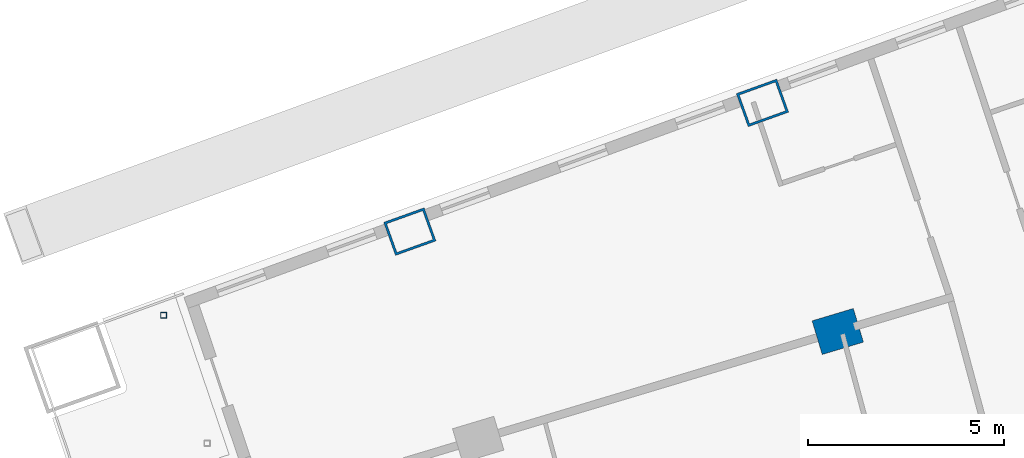
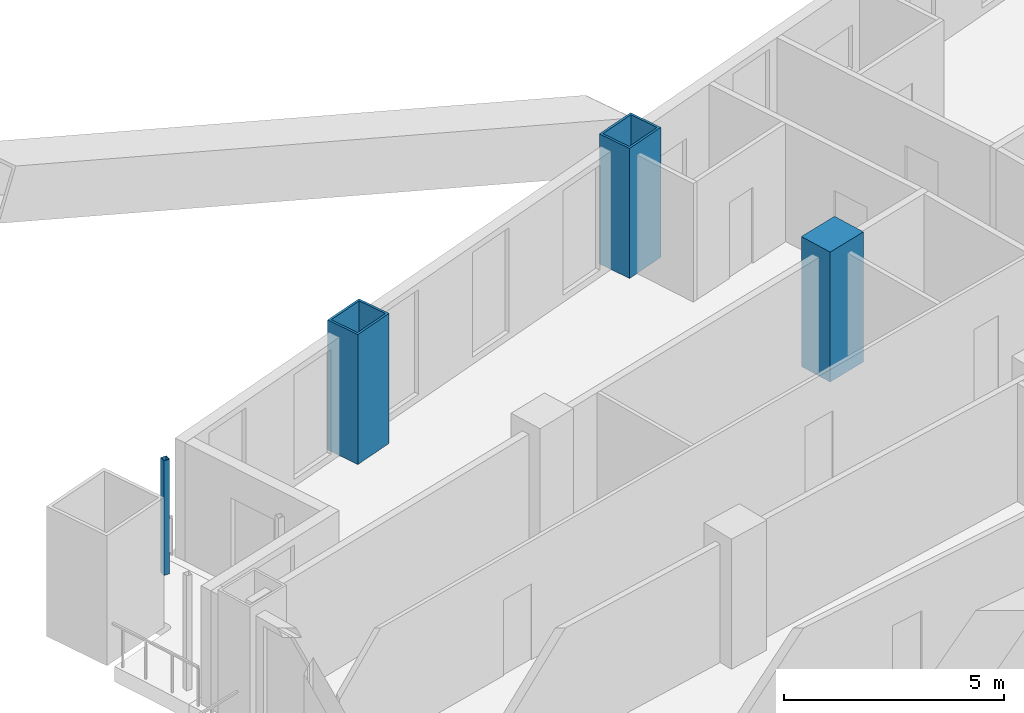
# One storey, part 9 of 25: 4 columns.
"""IFC4 building model written with IfcOpenShell, lengths in metres."""

import ifcopenshell
import ifcopenshell.guid

model = None  # the IFC model being written
_history = None  # IfcOwnerHistory: only IFC2X3 demands one
_inside = {}  # id of a spatial element -> (the spatial element, [elements in it])
_under = {}  # id of a project, library or spatial element -> (it, [spatial elements below it])
_declared = {}  # id of a project -> (the project, [libraries it declares])
_typed = {}  # id of a type object -> (the type object, [elements of that type])
_made_of = {}  # id of a material, layer set ... -> (it, [elements and type objects made of it])


def new_model(schema):
    """Start an empty IFC model of exactly this schema.

    Asked for "IFC4X3", IfcOpenShell would pick the latest addendum, in which some entities
    have other attributes; the version numbers below select the first issue.
    IFC2X3 requires an IfcOwnerHistory on every rooted entity: one is made here for all.
    """
    global model, _history
    if schema == "IFC4X3":
        model = ifcopenshell.file(schema_version=(4, 3, 0, 0))
    else:
        model = ifcopenshell.file(schema=schema)
    _inside.clear()
    _under.clear()
    _declared.clear()
    _typed.clear()
    _made_of.clear()
    _history = None
    if model.schema == "IFC2X3":
        org = make("IfcOrganization", Name="unknown")
        user = make(
            "IfcPersonAndOrganization",
            ThePerson=make("IfcPerson", FamilyName="unknown"),
            TheOrganization=org,
        )
        app = make(
            "IfcApplication",
            ApplicationDeveloper=org,
            Version="unknown",
            ApplicationFullName="unknown",
            ApplicationIdentifier="unknown",
        )
        _history = make(
            "IfcOwnerHistory",
            OwningUser=user,
            OwningApplication=app,
            ChangeAction="ADDED",
            CreationDate=0,
        )
    return model


def make(cls, **values):
    """One entity of the class cls with the attributes given. An attribute that is None is left unset."""
    return model.create_entity(
        cls, **{name: value for name, value in values.items() if value is not None}
    )


def rooted(cls, **values):
    """An entity with a GlobalId (a new one), such as an element, a storey or a relation."""
    return make(cls, GlobalId=ifcopenshell.guid.new(), OwnerHistory=_history, **values)


def si_unit(unit_type, name, prefix=None):
    """IfcSIUnit, for example si_unit("LENGTHUNIT", "METRE", prefix="MILLI")."""
    return make("IfcSIUnit", UnitType=unit_type, Prefix=prefix, Name=name)


def assignment(units):
    """IfcUnitAssignment: the units of a project."""
    return None if units is None else make("IfcUnitAssignment", Units=units)


def point(xyz):
    """IfcCartesianPoint."""
    return None if xyz is None else make("IfcCartesianPoint", Coordinates=xyz)


def direction(xyz):
    """IfcDirection."""
    return None if xyz is None else make("IfcDirection", DirectionRatios=xyz)


def frame(location, z_axis=None, x_axis=None):
    """IfcAxis2Placement3D, a coordinate frame: its origin and axes. An axis left out is left unset."""
    return make(
        "IfcAxis2Placement3D",
        Location=point(location),
        Axis=direction(z_axis),
        RefDirection=direction(x_axis),
    )


def frame_2d(location, x_axis=None):
    """IfcAxis2Placement2D, a coordinate frame in the plane: its origin and x axis."""
    return make(
        "IfcAxis2Placement2D", Location=point(location), RefDirection=direction(x_axis)
    )


def origin():
    """The frame at (0, 0, 0) with its axes left unset."""
    return frame((0.0, 0.0, 0.0))


def origin_2d():
    """The frame at (0, 0) in the plane with its x axis left unset."""
    return frame_2d((0.0, 0.0))


def place(relative_to, where):
    """IfcLocalPlacement: puts the frame where relative to a parent placement (None: the world)."""
    return make(
        "IfcLocalPlacement", PlacementRelTo=relative_to, RelativePlacement=where
    )


def context(
    kind, dimensions, precision=None, world=None, true_north=None, identifier=None
):
    """IfcGeometricRepresentationContext, for example the 3D "Model" context."""
    return make(
        "IfcGeometricRepresentationContext",
        ContextIdentifier=identifier,
        ContextType=kind,
        CoordinateSpaceDimension=dimensions,
        Precision=precision,
        WorldCoordinateSystem=world,
        TrueNorth=true_north,
    )


def subcontext(parent, identifier, kind, view, scale=None):
    """IfcGeometricRepresentationSubContext, for example "Body" below "Model"."""
    return make(
        "IfcGeometricRepresentationSubContext",
        ContextIdentifier=identifier,
        ContextType=kind,
        ParentContext=parent,
        TargetScale=scale,
        TargetView=view,
    )


def project(units=None, contexts=None):
    """IfcProject with its units and contexts."""
    return rooted(
        "IfcProject",
        Name="project",
        RepresentationContexts=contexts,
        UnitsInContext=assignment(units),
    )


def spatial(cls, under=None, at=None, **own):
    """A site, building, storey or space (cls), placed at a placement, below another one or the project."""
    s = rooted(cls, ObjectPlacement=at, **own)
    if under is not None:
        _under.setdefault(under.id(), (under, []))[1].append(s)
    return s


def profile(cls, at=None, kind="AREA", **sizes):
    """A parametric profile (cls). Its sizes go by their IFC names, for example OverallWidth=200.0."""
    return make(cls, ProfileType=kind, Position=at, **sizes)


def rectangle(**sizes):
    """IfcRectangleProfileDef."""
    return profile("IfcRectangleProfileDef", **sizes)


def hollow_rectangle(**sizes):
    """IfcRectangleHollowProfileDef."""
    return profile("IfcRectangleHollowProfileDef", **sizes)


def extrude(swept, where, along, depth):
    """IfcExtrudedAreaSolid: the profile swept, set in the frame where, extruded along a direction by depth."""
    return make(
        "IfcExtrudedAreaSolid",
        SweptArea=swept,
        Position=where,
        ExtrudedDirection=direction(along),
        Depth=depth,
    )


def shape(context_of_items, identifier, shape_type, items):
    """IfcShapeRepresentation: the items that make up one representation, for example the "Body"."""
    return make(
        "IfcShapeRepresentation",
        ContextOfItems=context_of_items,
        RepresentationIdentifier=identifier,
        RepresentationType=shape_type,
        Items=items,
    )


def material(Name=None, Category=None):
    """IfcMaterial."""
    return make("IfcMaterial", Name=Name, Category=Category)


def material_profile(
    of_material, cross_section, Name=None, Category=None, Priority=None
):
    """IfcMaterialProfile: a cross section and its material."""
    return make(
        "IfcMaterialProfile",
        Name=Name,
        Material=of_material,
        Profile=cross_section,
        Priority=Priority,
        Category=Category,
    )


def profile_set(profiles, Name=None, composite=None):
    """IfcMaterialProfileSet."""
    return make(
        "IfcMaterialProfileSet",
        Name=Name,
        MaterialProfiles=profiles,
        CompositeProfile=composite,
    )


def made_of(thing, what):
    """Note that an element or type object is made of a material, layer set ...; save() writes the relation."""
    if what is not None:
        _made_of.setdefault(what.id(), (what, []))[1].append(thing)
    return thing


def type_object(cls, material=None, **own):
    """A type object (cls), such as IfcWallType, which elements share."""
    return made_of(rooted(cls, **own), material)


def element(
    cls,
    number,
    at=None,
    inside=None,
    cuts=None,
    type_object=None,
    material=None,
    context=None,
    identifier="Body",
    shape_type=None,
    held_by="IfcProductDefinitionShape",
    body=None,
    shapes=None,
    **own,
):
    """One element of the class cls, such as IfcWall. Its Tag is "e" and its number.

    at: its placement. inside: the storey or other place that contains it. cuts: it is an
    opening in that element (IfcRelVoidsElement). A single representation is given by context,
    identifier, shape_type and body (its items); several are given by shapes. held_by: the class
    of the entity that holds the representations. save() writes the other relations.
    """
    e = rooted(cls, Tag="e%d" % number, ObjectPlacement=at, **own)
    if body is not None:
        shapes = [shape(context, identifier, shape_type, body)]
    if shapes is not None:
        e.Representation = make(held_by, Representations=shapes)
    if inside is not None:
        _inside.setdefault(inside.id(), (inside, []))[1].append(e)
    if cuts is not None:
        rooted(
            "IfcRelVoidsElement", RelatingBuildingElement=cuts, RelatedOpeningElement=e
        )
    if type_object is not None:
        _typed.setdefault(type_object.id(), (type_object, []))[1].append(e)
    return made_of(e, material)


def aggregate(whole, parts):
    """IfcRelAggregates: a whole, such as a stair, and the parts it consists of."""
    return rooted("IfcRelAggregates", RelatingObject=whole, RelatedObjects=parts)


def save(model, path):
    """Write the relations noted so far, then the file.

    IfcRelAggregates (storeys below a building ...), IfcRelContainedInSpatialStructure (elements
    in a storey), IfcRelDefinesByType, IfcRelAssociatesMaterial and IfcRelDeclares: one each for
    every whole, place, type object, material and project.
    """
    for whole, parts in _under.values():
        aggregate(whole, parts)
    for where, things in _inside.values():
        rooted(
            "IfcRelContainedInSpatialStructure",
            RelatedElements=things,
            RelatingStructure=where,
        )
    for kind, things in _typed.values():
        rooted("IfcRelDefinesByType", RelatedObjects=things, RelatingType=kind)
    for what, things in _made_of.values():
        rooted("IfcRelAssociatesMaterial", RelatedObjects=things, RelatingMaterial=what)
    for by, libraries in _declared.values():
        rooted("IfcRelDeclares", RelatingContext=by, RelatedDefinitions=libraries)
    model.write(path)


model = new_model("IFC4")

# Units and contexts
model_context = context("Model", 3, precision=1e-05, world=origin(), true_north=direction((0.0, 1.0)))
body_context = subcontext(model_context, "Body", "Model", "MODEL_VIEW")
ifc_project = project(units=[si_unit("LENGTHUNIT", "METRE"), si_unit("AREAUNIT", "SQUARE_METRE"), si_unit("VOLUMEUNIT", "CUBIC_METRE"), si_unit("PLANEANGLEUNIT", "RADIAN"), si_unit("MASSUNIT", "GRAM", prefix="KILO")], contexts=[model_context])

# Site, building, storey
site_placement = place(None, origin())
site = spatial("IfcSite", under=ifc_project, at=site_placement, CompositionType="ELEMENT")
building_placement = place(site_placement, origin())
building = spatial("IfcBuilding", under=site, at=building_placement, Name="Alderwake Tower", CompositionType="ELEMENT")
storey_placement = place(building_placement, frame((0.0, 0.0, 64.39990234375)))
storey = spatial("IfcBuildingStorey", under=building, at=storey_placement, Name="L15", CompositionType="ELEMENT", Elevation=64.39990234375)

# Columns
ifc_material_1 = material(Name="Steel ASTM A572 Grade 50 concrete filled C70/85", Category="concrete")
ifc_material_profile_1 = material_profile(ifc_material_1, hollow_rectangle(XDim=0.89990234375, YDim=1.10009765625, WallThickness=0.06005859375, at=origin_2d()), Name="BOX 1100X900X60")
ifc_profile_set_1 = profile_set([ifc_material_profile_1], Name="Steel ASTM A572 Grade 50 concrete filled C70/85")
column_type_1 = type_object("IfcColumnType", Name="End column Z1", PredefinedType="COLUMN", material=ifc_profile_set_1)
for number, where, z_axis, x_axis, name in (
    (1, (19.965576171875, 96.8515625, 0.0), (0.0, 0.0, 1.0), (-0.337584879279, 0.9412950915, 0.0), "Column R13-C1"),
    (2, (28.983642578125, 100.143310546875, 0.0), (0.0, 0.0, 1.0), (-0.338026774049, 0.941136493834, 0.0), "Column R13-C2"),
):
    element("IfcColumn", number, at=place(storey_placement, frame(where, z_axis=z_axis, x_axis=x_axis)), inside=storey, type_object=column_type_1, Name=name, PredefinedType="COLUMN", context=body_context, shape_type="SweptSolid", body=[
        extrude(hollow_rectangle(XDim=0.89990234375, YDim=1.10009765625, WallThickness=0.06005859375, at=origin_2d()), origin(), (0.0, 0.0, 1.0), 3.60009765625),
    ])
ifc_material_2 = material(Name="Concrete C70/85", Category="concrete")
ifc_material_profile_2 = material_profile(ifc_material_2, rectangle(XDim=0.89990234375, YDim=1.10009765625, at=origin_2d()), Name="RC 1100X900")
ifc_profile_set_2 = profile_set([ifc_material_profile_2], Name="Concrete C70/85")
column_type_2 = type_object("IfcColumnType", Name="Interior column Z1", PredefinedType="COLUMN", material=ifc_profile_set_2)
column_1_placement = place(storey_placement, frame((30.9091796875, 94.298095703125, 0.0), z_axis=(0.0, 0.0, 1.0), x_axis=(-0.287549418125, 0.957765802342, 0.0)))
element("IfcColumn", 3, at=column_1_placement, inside=storey, type_object=column_type_2, Name="Column R12-C2", PredefinedType="COLUMN", context=body_context, shape_type="SweptSolid", body=[
    extrude(rectangle(XDim=0.89990234375, YDim=1.10009765625, at=origin_2d()), origin(), (0.0, 0.0, 1.0), 3.60009765625),
])
ifc_material_3 = material(Name="Steel ASTM A500 Grade C", Category="steel")
ifc_material_profile_3 = material_profile(ifc_material_3, hollow_rectangle(XDim=0.15234375, YDim=0.15234375, WallThickness=0.0087890625, at=origin_2d()), Name="HSS6X6X3/8")
ifc_profile_set_3 = profile_set([ifc_material_profile_3], Name="Steel ASTM A500 Grade C")
column_type_3 = type_object("IfcColumnType", Name="Light post HSS6X6X3/8", PredefinedType="COLUMN", material=ifc_profile_set_3)
column_2_placement = place(storey_placement, frame((13.66796875, 94.71240234375, 0.0), z_axis=(0.0, 0.0, 1.0), x_axis=(1.0, 0.0, 0.0)))
element("IfcColumn", 4, at=column_2_placement, inside=storey, type_object=column_type_3, Name="Terrace post RN2", PredefinedType="COLUMN", context=body_context, shape_type="SweptSolid", body=[
    extrude(hollow_rectangle(XDim=0.15234375, YDim=0.15234375, WallThickness=0.0087890625, at=origin_2d()), origin(), (0.0, 0.0, 1.0), 3.18017578125),
])

save(model, "model.ifc")
